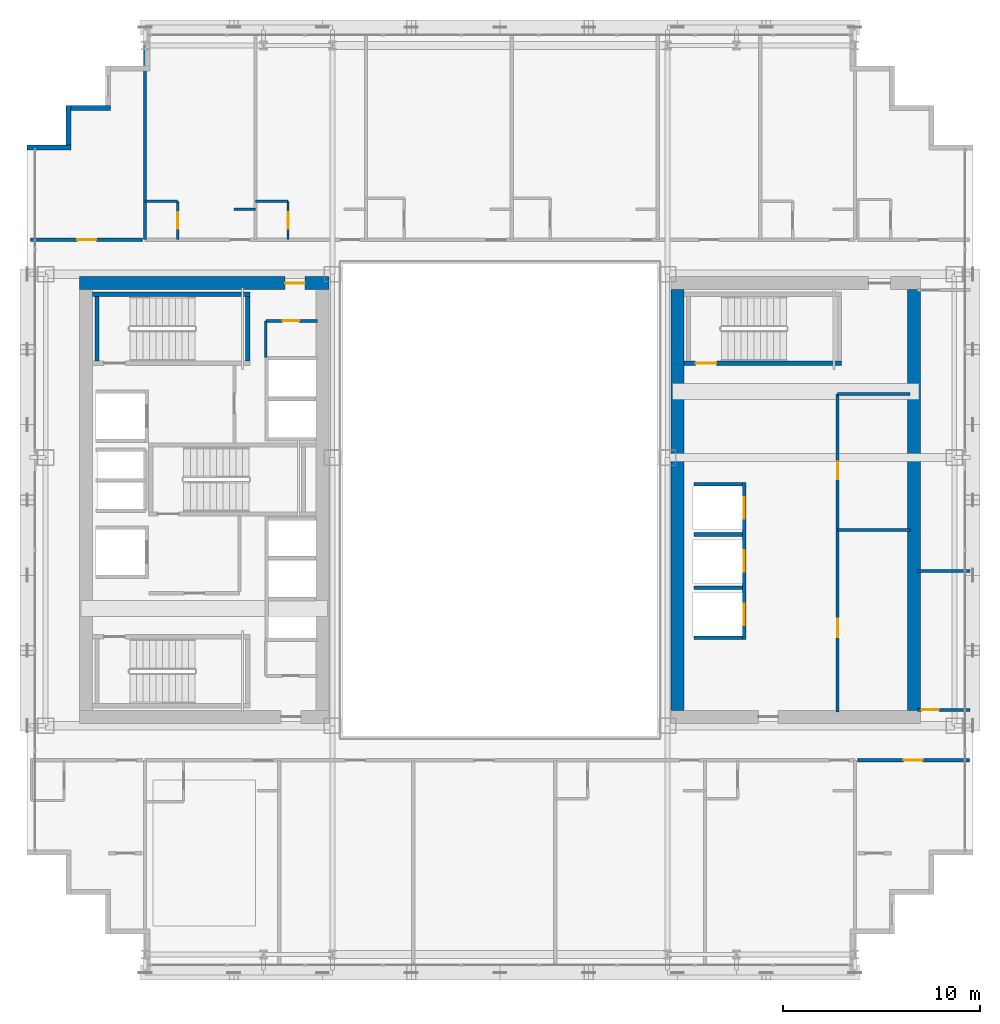
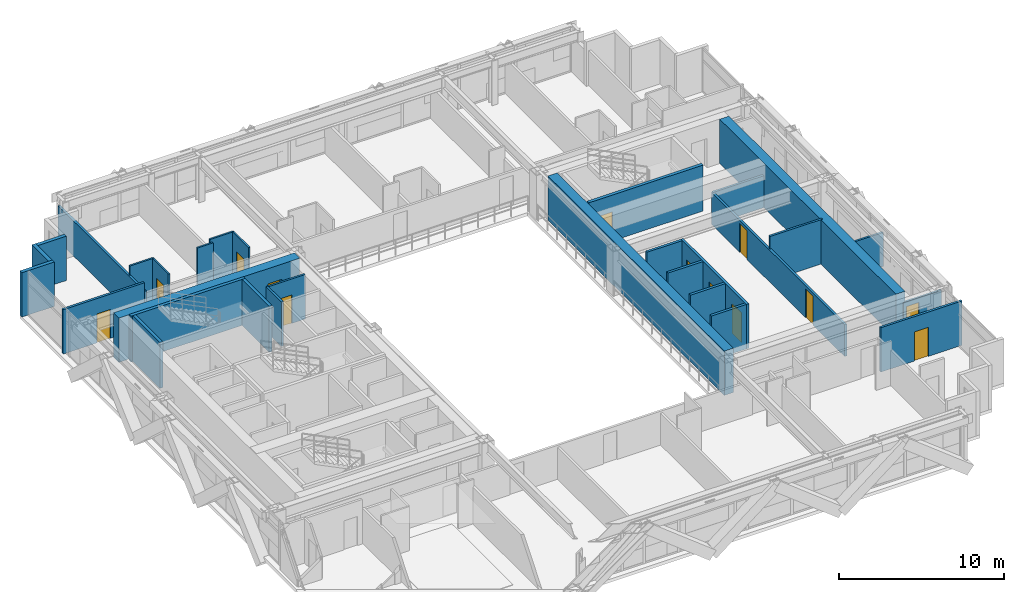
# One storey, part 30 of 36: 30 walls, 13 doors, 13 openings.
"""IFC4 building model written with IfcOpenShell, lengths in metres."""

from ifc_helpers import new_model, si_unit, direction, frame, frame_2d, origin, place, context, subcontext, project, spatial, rectangle, extrude, source, transform, mapped, material, layer, layer_set, type_object, element, fill, save


model = new_model("IFC4")

# Units and contexts
model_context = context("Model", 3, precision=1e-05, world=origin(), true_north=direction((0.0, 1.0)))
body_context = subcontext(model_context, "Body", "Model", "MODEL_VIEW")
ifc_project = project(units=[si_unit("LENGTHUNIT", "METRE"), si_unit("AREAUNIT", "SQUARE_METRE"), si_unit("VOLUMEUNIT", "CUBIC_METRE"), si_unit("PLANEANGLEUNIT", "RADIAN"), si_unit("MASSUNIT", "GRAM", prefix="KILO")], contexts=[model_context])

# Site, building, storey
site_placement = place(None, origin())
site = spatial("IfcSite", under=ifc_project, at=site_placement, CompositionType="ELEMENT")
building_placement = place(site_placement, origin())
building = spatial("IfcBuilding", under=site, at=building_placement, Name="Ocotamira Hotel", CompositionType="ELEMENT")
storey_placement = place(building_placement, frame((0.0, 0.0, 147.60009765625)))
storey = spatial("IfcBuildingStorey", under=building, at=storey_placement, Name="L37", CompositionType="ELEMENT", Elevation=147.60009765625)

# Wall, opening, door
ifc_material_1 = material(Name="Concrete C60/75", Category="concrete")
ifc_layer_1 = layer(ifc_material_1, 0.64990234375)
ifc_layer_set_1 = layer_set([ifc_layer_1], Name="Concrete C60/75")
wall_type_1 = type_object("IfcWallType", Name="WL-CORE-650", PredefinedType="SHEAR", material=ifc_layer_set_1)
wall_1_placement = place(storey_placement, frame((10.675048828125, 37.0, 0.0), z_axis=(0.0, 0.0, 1.0), x_axis=(1.0, 0.0, 0.0)))
wall_1 = element("IfcWall", 1, at=wall_1_placement, inside=storey, type_object=wall_type_1, Name="L37 Shear Core Wall WCORE-N", PredefinedType="SHEAR", context=body_context, shape_type="SweptSolid", body=[
    extrude(rectangle(XDim=12.64990234375, YDim=0.64990234375, at=frame_2d((6.324951171875, 0.0))), origin(), (0.0, 0.0, 1.0), 3.27978515625),
])
opening_1_placement = place(wall_1_placement, frame((10.425048828125, 0.0, 0.0)))
opening_1 = element("IfcOpeningElement", 2, at=opening_1_placement, cuts=wall_1, Name="Opening D-FR2", PredefinedType="OPENING", context=body_context, shape_type="SweptSolid", body=[
    extrude(rectangle(XDim=1.0, YDim=2.14990234375, at=frame_2d((0.5, 1.074951171875))), frame((0.0, 0.3349609375, 0.0), z_axis=(0.0, -1.0, 0.0), x_axis=(1.0, 0.0, 0.0)), (0.0, 0.0, 1.0), 0.669921875),
])
ifc_material_2 = material(Name="Fire-rated acoustic timber-veneer door", Category="wood")
door_type_1 = type_object("IfcDoorType", Name="DR-FIRE-1000", OperationType="NOTDEFINED", PredefinedType="DOOR", material=ifc_material_2)
shared_shape_1 = source(origin(), body_context, "Body", "SweptSolid", [
    extrude(rectangle(XDim=1.0, YDim=2.14990234375, at=frame_2d((0.5, 1.074951171875))), frame((0.0, 0.02490234375, 0.0), z_axis=(0.0, -1.0, 0.0), x_axis=(1.0, 0.0, 0.0)), (0.0, 0.0, 1.0), 0.050048828125),
])
door_1_placement = place(opening_1_placement, origin())
door_1 = element("IfcDoor", 3, at=door_1_placement, inside=storey, type_object=door_type_1, Name="L37 Door ID-L37-WLOB-N-D [ID-L37-WLOB-N-D]", OperationType="SINGLE_SWING_RIGHT", OverallHeight=2.14990234375, OverallWidth=1.0, PredefinedType="DOOR", context=body_context, shape_type="MappedRepresentation", body=[
    mapped(shared_shape_1, transform((0.0, 0.0, 0.0), scale=1.0)),
])
fill(opening_1, door_1)

# Walls
for number, where, z_axis, x_axis, name in (
    (4, (41.0, 15.324951171875, 0.0), (0.0, 0.0, 1.0), (0.0, 1.0, 0.0), "L37 Shear Core Wall ECORE-W"),
    (5, (53.0, 15.324951171875, 0.0), (0.0, 0.0, 1.0), (0.0, 1.0, 0.0), "L37 Shear Core Wall ECORE-E"),
):
    element("IfcWall", number, at=place(storey_placement, frame(where, z_axis=z_axis, x_axis=x_axis)), inside=storey, type_object=wall_type_1, Name=name, PredefinedType="SHEAR", context=body_context, shape_type="SweptSolid", body=[
        extrude(rectangle(XDim=21.35009765625, YDim=0.64990234375, at=frame_2d((10.675048828125, 0.0))), origin(), (0.0, 0.0, 1.0), 3.27978515625),
    ])
ifc_material_3 = material(Name="Precast concrete C45/55", Category="concrete")
ifc_layer_2 = layer(ifc_material_3, 0.25)
ifc_layer_set_2 = layer_set([ifc_layer_2], Name="Precast concrete C45/55")
wall_type_2 = type_object("IfcWallType", Name="WL-EXT-SER-250", PredefinedType="SOLIDWALL", material=ifc_layer_set_2)
for number, where, z_axis, x_axis, name in (
    (6, (12.25, 45.875, 0.0), (0.0, 0.0, 1.0), (-1.0, 0.0, 0.0), "L37 Serrated Corner Wall 16"),
    (7, (10.125, 46.0, 0.0), (0.0, 0.0, 1.0), (0.0, -1.0, 0.0), "L37 Serrated Corner Wall 17"),
):
    element("IfcWall", number, at=place(storey_placement, frame(where, z_axis=z_axis, x_axis=x_axis)), inside=storey, type_object=wall_type_2, Name=name, PredefinedType="SOLIDWALL", context=body_context, shape_type="SweptSolid", body=[
        extrude(rectangle(XDim=2.0, YDim=0.25, at=frame_2d((1.0, 0.0))), origin(), (0.0, 0.0, 1.0), 3.27978515625),
    ])
wall_2_placement = place(storey_placement, frame((10.25, 43.875, 0.0), z_axis=(0.0, 0.0, 1.0), x_axis=(-1.0, 0.0, 0.0)))
element("IfcWall", 8, at=wall_2_placement, inside=storey, type_object=wall_type_2, Name="L37 Serrated Corner Wall 18", PredefinedType="SOLIDWALL", context=body_context, shape_type="SweptSolid", body=[
    extrude(rectangle(XDim=2.25, YDim=0.25, at=frame_2d((1.125, 0.0))), origin(), (0.0, 0.0, 1.0), 3.27978515625),
])
ifc_material_4 = material(Name="Acoustic double-layer fire gypsum board partition", Category="gypsum")
ifc_layer_3 = layer(ifc_material_4, 0.159912109375)
ifc_layer_set_3 = layer_set([ifc_layer_3], Name="Acoustic double-layer fire gypsum board partition")
wall_type_3 = type_object("IfcWallType", Name="WL-FIRE-160", PredefinedType="PARTITIONING", material=ifc_layer_set_3)
wall_3_placement = place(storey_placement, frame((49.1201171875, 31.3798828125, 0.0), z_axis=(0.0, 0.0, 1.0), x_axis=(1.0, 0.0, 0.0)))
element("IfcWall", 9, at=wall_3_placement, inside=storey, type_object=wall_type_3, Name="L37 Interior Wall PW-L37-EC-FLOW-N", PredefinedType="PARTITIONING", context=body_context, shape_type="SweptSolid", body=[
    extrude(rectangle(XDim=3.679931640625, YDim=0.159912109375, at=frame_2d((1.83984375, 0.0))), origin(), (0.0, 0.0, 1.0), 2.35986328125),
])

# Wall, openings, doors
wall_4_placement = place(storey_placement, frame((49.1201171875, 15.25, 0.0), z_axis=(0.0, 0.0, 1.0), x_axis=(0.0, 1.0, 0.0)))
wall_4 = element("IfcWall", 10, at=wall_4_placement, inside=storey, type_object=wall_type_3, Name="L37 Interior Wall PW-L37-EC-FLOW-W", PredefinedType="PARTITIONING", context=body_context, shape_type="SweptSolid", body=[
    extrude(rectangle(XDim=16.1298828125, YDim=0.159912109375, at=frame_2d((8.06494140625, 0.0))), origin(), (0.0, 0.0, 1.0), 2.35986328125),
])
opening_2_placement = place(wall_4_placement, frame((3.800048828125, 0.0, 0.0)))
opening_2 = element("IfcOpeningElement", 11, at=opening_2_placement, cuts=wall_4, Name="Opening D-SV3", PredefinedType="OPENING", context=body_context, shape_type="SweptSolid", body=[
    extrude(rectangle(XDim=0.919921875, YDim=2.14990234375, at=frame_2d((0.4599609375, 1.074951171875))), frame((0.0, 0.08984375, 0.0), z_axis=(0.0, -1.0, 0.0), x_axis=(1.0, 0.0, 0.0)), (0.0, 0.0, 1.0), 0.179931640625),
])
opening_3_placement = place(wall_4_placement, frame((11.800048828125, 0.0, 0.0)))
opening_3 = element("IfcOpeningElement", 12, at=opening_3_placement, cuts=wall_4, Name="Opening D-IN3", PredefinedType="OPENING", context=body_context, shape_type="SweptSolid", body=[
    extrude(rectangle(XDim=0.89990234375, YDim=2.14990234375, at=frame_2d((0.449951171875, 1.074951171875))), frame((0.0, 0.08984375, 0.0), z_axis=(0.0, -1.0, 0.0), x_axis=(1.0, 0.0, 0.0)), (0.0, 0.0, 1.0), 0.179931640625),
])
ifc_material_5 = material(Name="Painted service room door", Category="steel")
door_type_2 = type_object("IfcDoorType", Name="DR-INT-900", OperationType="NOTDEFINED", PredefinedType="DOOR", material=ifc_material_5)
shared_shape_2 = source(origin(), body_context, "Body", "SweptSolid", [
    extrude(rectangle(XDim=0.89990234375, YDim=2.14990234375, at=frame_2d((0.449951171875, 1.074951171875))), frame((0.0, 0.02490234375, 0.0), z_axis=(0.0, -1.0, 0.0), x_axis=(1.0, 0.0, 0.0)), (0.0, 0.0, 1.0), 0.050048828125),
])
door_2_placement = place(opening_3_placement, origin())
door_2 = element("IfcDoor", 13, at=door_2_placement, inside=storey, type_object=door_type_2, Name="L37 Door ID-L37-EC-FLOW-DB [ID-L37-EC-FLOW-DB]", OperationType="SINGLE_SWING_RIGHT", OverallHeight=2.14990234375, OverallWidth=0.89990234375, PredefinedType="DOOR", context=body_context, shape_type="MappedRepresentation", body=[
    mapped(shared_shape_2, transform((0.0, 0.0, 0.0), scale=1.0)),
])
fill(opening_3, door_2)
ifc_material_6 = material(Name="Fire-rated walnut hospitality door", Category="wood")
door_type_3 = type_object("IfcDoorType", Name="DR-SERV-920", OperationType="NOTDEFINED", PredefinedType="DOOR", material=ifc_material_6)
shared_shape_3 = source(origin(), body_context, "Body", "SweptSolid", [
    extrude(rectangle(XDim=0.919921875, YDim=2.14990234375, at=frame_2d((0.4599609375, 1.074951171875))), frame((0.0, 0.02490234375, 0.0), z_axis=(0.0, -1.0, 0.0), x_axis=(1.0, 0.0, 0.0)), (0.0, 0.0, 1.0), 0.050048828125),
])
door_3_placement = place(opening_2_placement, origin())
door_3 = element("IfcDoor", 14, at=door_3_placement, inside=storey, type_object=door_type_3, Name="L37 Door ID-L37-EC-FLOW-DA [ID-L37-EC-FLOW-DA]", OperationType="SINGLE_SWING_LEFT", OverallHeight=2.14990234375, OverallWidth=0.919921875, PredefinedType="DOOR", context=body_context, shape_type="MappedRepresentation", body=[
    mapped(shared_shape_3, transform((0.0, 0.0, 0.0), scale=1.0)),
])
fill(opening_2, door_3)

# Wall, opening, door
wall_5_placement = place(storey_placement, frame((50.1201171875, 12.800048828125, 0.0), z_axis=(0.0, 0.0, 1.0), x_axis=(1.0, 0.0, 0.0)))
wall_5 = element("IfcWall", 15, at=wall_5_placement, inside=storey, type_object=wall_type_3, Name="L37 Interior Wall PW-L37-Z2E-CSE-CW", PredefinedType="PARTITIONING", context=body_context, shape_type="SweptSolid", body=[
    extrude(rectangle(XDim=5.679931640625, YDim=0.159912109375, at=frame_2d((2.83984375, 0.0))), origin(), (0.0, 0.0, 1.0), 3.27978515625),
])
opening_4_placement = place(wall_5_placement, frame((2.360107421875, 0.0, 0.0)))
opening_4 = element("IfcOpeningElement", 16, at=opening_4_placement, cuts=wall_5, Name="Opening D-SV4", PredefinedType="OPENING", context=body_context, shape_type="SweptSolid", body=[
    extrude(rectangle(XDim=0.9599609375, YDim=2.14990234375, at=frame_2d((0.47998046875, 1.074951171875))), frame((0.0, 0.08984375, 0.0), z_axis=(0.0, -1.0, 0.0), x_axis=(1.0, 0.0, 0.0)), (0.0, 0.0, 1.0), 0.179931640625),
])
ifc_material_7 = material(Name="Fire-rated accessible walnut salon door", Category="wood")
door_type_4 = type_object("IfcDoorType", Name="DR-SERV-960", OperationType="NOTDEFINED", PredefinedType="DOOR", material=ifc_material_7)
shared_shape_4 = source(origin(), body_context, "Body", "SweptSolid", [
    extrude(rectangle(XDim=0.9599609375, YDim=2.14990234375, at=frame_2d((0.47998046875, 1.074951171875))), frame((0.0, 0.02490234375, 0.0), z_axis=(0.0, -1.0, 0.0), x_axis=(1.0, 0.0, 0.0)), (0.0, 0.0, 1.0), 0.050048828125),
])
door_4_placement = place(opening_4_placement, origin())
door_4 = element("IfcDoor", 17, at=door_4_placement, inside=storey, type_object=door_type_4, Name="L37 Door ID-L37-Z2E-CSE-CD [ID-L37-Z2E-CSE-CD]", OperationType="SINGLE_SWING_LEFT", OverallHeight=2.14990234375, OverallWidth=0.9599609375, PredefinedType="DOOR", context=body_context, shape_type="MappedRepresentation", body=[
    mapped(shared_shape_4, transform((0.0, 0.0, 0.0), scale=1.0)),
])
fill(opening_4, door_4)

wall_6_placement = place(storey_placement, frame((8.199951171875, 39.199951171875, 0.0), z_axis=(0.0, 0.0, 1.0), x_axis=(1.0, 0.0, 0.0)))
wall_6 = element("IfcWall", 18, at=wall_6_placement, inside=storey, type_object=wall_type_3, Name="L37 Interior Wall PW-L37-Z2E-CNW-CW", PredefinedType="PARTITIONING", context=body_context, shape_type="SweptSolid", body=[
    extrude(rectangle(XDim=5.679931640625, YDim=0.159912109375, at=frame_2d((2.83984375, 0.0))), origin(), (0.0, 0.0, 1.0), 3.27978515625),
])
opening_5_placement = place(wall_6_placement, frame((2.360107421875, 0.0, 0.0)))
opening_5 = element("IfcOpeningElement", 19, at=opening_5_placement, cuts=wall_6, Name="Opening D-SV4", PredefinedType="OPENING", context=body_context, shape_type="SweptSolid", body=[
    extrude(rectangle(XDim=0.9599609375, YDim=2.14990234375, at=frame_2d((0.47998046875, 1.074951171875))), frame((0.0, 0.08984375, 0.0), z_axis=(0.0, -1.0, 0.0), x_axis=(1.0, 0.0, 0.0)), (0.0, 0.0, 1.0), 0.179931640625),
])
door_5_placement = place(opening_5_placement, origin())
door_5 = element("IfcDoor", 20, at=door_5_placement, inside=storey, type_object=door_type_4, Name="L37 Door ID-L37-Z2E-CNW-CD [ID-L37-Z2E-CNW-CD]", OperationType="SINGLE_SWING_LEFT", OverallHeight=2.14990234375, OverallWidth=0.9599609375, PredefinedType="DOOR", context=body_context, shape_type="MappedRepresentation", body=[
    mapped(shared_shape_4, transform((0.0, 0.0, 0.0), scale=1.0)),
])
fill(opening_5, door_5)

ifc_material_8 = material(Name="Moisture-resistant en-suite tile and gypsum partition", Category="gypsum")
ifc_layer_4 = layer(ifc_material_8, 0.1201171875)
ifc_layer_set_4 = layer_set([ifc_layer_4], Name="Moisture-resistant en-suite tile and gypsum partition")
wall_type_4 = type_object("IfcWallType", Name="WL-PART-120", PredefinedType="PARTITIONING", material=ifc_layer_set_4)
wall_7_placement = place(storey_placement, frame((15.64990234375, 39.199951171875, 0.0), z_axis=(0.0, 0.0, 1.0), x_axis=(0.0, 1.0, 0.0)))
wall_7 = element("IfcWall", 21, at=wall_7_placement, inside=storey, type_object=wall_type_4, Name="L37 Interior Wall PW-L37-Z2EN-BAE1", PredefinedType="PARTITIONING", context=body_context, shape_type="SweptSolid", body=[
    extrude(rectangle(XDim=1.949951171875, YDim=0.1201171875, at=frame_2d((0.97509765625, 0.0))), origin(), (0.0, 0.0, 1.0), 3.27978515625),
])
opening_6_placement = place(wall_7_placement, frame((0.544921875, 0.0, 0.0)))
opening_6 = element("IfcOpeningElement", 22, at=opening_6_placement, cuts=wall_7, Name="Opening D-BA1", PredefinedType="OPENING", context=body_context, shape_type="SweptSolid", body=[
    extrude(rectangle(XDim=0.860107421875, YDim=2.10009765625, at=frame_2d((0.43017578125, 1.050048828125))), frame((0.0, 0.070068359375, 0.0), z_axis=(0.0, -1.0, 0.0), x_axis=(1.0, 0.0, 0.0)), (0.0, 0.0, 1.0), 0.14013671875),
])
ifc_material_9 = material(Name="Moisture-sealed en-suite timber door", Category="wood")
door_type_5 = type_object("IfcDoorType", Name="DR-BATH-860", OperationType="NOTDEFINED", PredefinedType="DOOR", material=ifc_material_9)
shared_shape_5 = source(origin(), body_context, "Body", "SweptSolid", [
    extrude(rectangle(XDim=0.860107421875, YDim=2.10009765625, at=frame_2d((0.43017578125, 1.050048828125))), frame((0.0, 0.02490234375, 0.0), z_axis=(0.0, -1.0, 0.0), x_axis=(1.0, 0.0, 0.0)), (0.0, 0.0, 1.0), 0.050048828125),
])
door_6_placement = place(opening_6_placement, origin())
door_6 = element("IfcDoor", 23, at=door_6_placement, inside=storey, type_object=door_type_5, Name="L37 Door ID-L37-Z2EN-BAD1 [ID-L37-Z2EN-BAD1]", OperationType="SINGLE_SWING_RIGHT", OverallHeight=2.10009765625, OverallWidth=0.860107421875, PredefinedType="DOOR", context=body_context, shape_type="MappedRepresentation", body=[
    mapped(shared_shape_5, transform((0.0, 0.0, 0.0), scale=1.0)),
])
fill(opening_6, door_6)

# Walls
wall_8_placement = place(storey_placement, frame((14.0, 41.14990234375, 0.0), z_axis=(0.0, 0.0, 1.0), x_axis=(1.0, 0.0, 0.0)))
element("IfcWall", 24, at=wall_8_placement, inside=storey, type_object=wall_type_4, Name="L37 Interior Wall PW-L37-Z2EN-BAN1", PredefinedType="PARTITIONING", context=body_context, shape_type="SweptSolid", body=[
    extrude(rectangle(XDim=1.64990234375, YDim=0.1201171875, at=frame_2d((0.824951171875, 0.0))), origin(), (0.0, 0.0, 1.0), 3.27978515625),
])
wall_9_placement = place(storey_placement, frame((18.5, 40.75, 0.0), z_axis=(0.0, 0.0, 1.0), x_axis=(1.0, 0.0, 0.0)))
element("IfcWall", 25, at=wall_9_placement, inside=storey, type_object=wall_type_4, Name="L37 Interior Wall PW-L37-Z2EN-DRN1", PredefinedType="PARTITIONING", context=body_context, shape_type="SweptSolid", body=[
    extrude(rectangle(XDim=1.10009765625, YDim=0.1201171875, at=frame_2d((0.550048828125, 0.0))), origin(), (0.0, 0.0, 1.0), 3.27978515625),
])

# Wall, opening, door
wall_10_placement = place(storey_placement, frame((21.25, 39.199951171875, 0.0), z_axis=(0.0, 0.0, 1.0), x_axis=(0.0, 1.0, 0.0)))
wall_10 = element("IfcWall", 26, at=wall_10_placement, inside=storey, type_object=wall_type_4, Name="L37 Interior Wall PW-L37-Z2EN-BAE2", PredefinedType="PARTITIONING", context=body_context, shape_type="SweptSolid", body=[
    extrude(rectangle(XDim=1.949951171875, YDim=0.1201171875, at=frame_2d((0.97509765625, 0.0))), origin(), (0.0, 0.0, 1.0), 3.27978515625),
])
opening_7_placement = place(wall_10_placement, frame((0.544921875, 0.0, 0.0)))
opening_7 = element("IfcOpeningElement", 27, at=opening_7_placement, cuts=wall_10, Name="Opening D-BA1", PredefinedType="OPENING", context=body_context, shape_type="SweptSolid", body=[
    extrude(rectangle(XDim=0.860107421875, YDim=2.10009765625, at=frame_2d((0.43017578125, 1.050048828125))), frame((0.0, 0.070068359375, 0.0), z_axis=(0.0, -1.0, 0.0), x_axis=(1.0, 0.0, 0.0)), (0.0, 0.0, 1.0), 0.14013671875),
])
door_7_placement = place(opening_7_placement, origin())
door_7 = element("IfcDoor", 28, at=door_7_placement, inside=storey, type_object=door_type_5, Name="L37 Door ID-L37-Z2EN-BAD2 [ID-L37-Z2EN-BAD2]", OperationType="SINGLE_SWING_LEFT", OverallHeight=2.10009765625, OverallWidth=0.860107421875, PredefinedType="DOOR", context=body_context, shape_type="MappedRepresentation", body=[
    mapped(shared_shape_5, transform((0.0, 0.0, 0.0), scale=1.0)),
])
fill(opening_7, door_7)

# Walls
wall_11_placement = place(storey_placement, frame((19.60009765625, 41.14990234375, 0.0), z_axis=(0.0, 0.0, 1.0), x_axis=(1.0, 0.0, 0.0)))
element("IfcWall", 29, at=wall_11_placement, inside=storey, type_object=wall_type_4, Name="L37 Interior Wall PW-L37-Z2EN-BAN2", PredefinedType="PARTITIONING", context=body_context, shape_type="SweptSolid", body=[
    extrude(rectangle(XDim=1.64990234375, YDim=0.1201171875, at=frame_2d((0.824951171875, 0.0))), origin(), (0.0, 0.0, 1.0), 3.27978515625),
])
ifc_material_10 = material(Name="Acoustic hospitality gypsum board partition", Category="gypsum")
ifc_layer_5 = layer(ifc_material_10, 0.14208984375)
ifc_layer_set_5 = layer_set([ifc_layer_5], Name="Acoustic hospitality gypsum board partition")
wall_type_5 = type_object("IfcWallType", Name="WL-PART-142", PredefinedType="PARTITIONING", material=ifc_layer_set_5)
wall_12_placement = place(storey_placement, frame((20.1201171875, 33.219970703125, 0.0), z_axis=(0.0, 0.0, 1.0), x_axis=(0.0, 1.0, 0.0)))
element("IfcWall", 30, at=wall_12_placement, inside=storey, type_object=wall_type_5, Name="L37 Interior Wall PW-L37-WC-NE-W2", PredefinedType="PARTITIONING", context=body_context, shape_type="SweptSolid", body=[
    extrude(rectangle(XDim=1.860107421875, YDim=0.14208984375, at=frame_2d((0.93017578125, 0.0))), origin(), (0.0, 0.0, 1.0), 3.27978515625),
])

# Wall, opening, door
wall_13_placement = place(storey_placement, frame((20.1201171875, 35.080078125, 0.0), z_axis=(0.0, 0.0, 1.0), x_axis=(1.0, 0.0, 0.0)))
wall_13 = element("IfcWall", 31, at=wall_13_placement, inside=storey, type_object=wall_type_5, Name="L37 Interior Wall PW-L37-WC-NE-N2", PredefinedType="PARTITIONING", context=body_context, shape_type="SweptSolid", body=[
    extrude(rectangle(XDim=2.6298828125, YDim=0.14208984375, at=frame_2d((1.31494140625, 0.0))), origin(), (0.0, 0.0, 1.0), 3.27978515625),
])
opening_8_placement = place(wall_13_placement, frame((0.85009765625, 0.0, 0.0)))
opening_8 = element("IfcOpeningElement", 32, at=opening_8_placement, cuts=wall_13, Name="Opening D-SV1", PredefinedType="OPENING", context=body_context, shape_type="SweptSolid", body=[
    extrude(rectangle(XDim=0.840087890625, YDim=2.10009765625, at=frame_2d((0.419921875, 1.050048828125))), frame((0.0, 0.0810546875, 0.0), z_axis=(0.0, -1.0, 0.0), x_axis=(1.0, 0.0, 0.0)), (0.0, 0.0, 1.0), 0.162109375),
])
ifc_material_11 = material(Name="Fire-rated painted steel service door", Category="steel")
door_type_6 = type_object("IfcDoorType", Name="DR-SERV-840", OperationType="NOTDEFINED", PredefinedType="DOOR", material=ifc_material_11)
shared_shape_6 = source(origin(), body_context, "Body", "SweptSolid", [
    extrude(rectangle(XDim=0.840087890625, YDim=2.10009765625, at=frame_2d((0.419921875, 1.050048828125))), frame((0.0, 0.02490234375, 0.0), z_axis=(0.0, -1.0, 0.0), x_axis=(1.0, 0.0, 0.0)), (0.0, 0.0, 1.0), 0.050048828125),
])
door_8_placement = place(opening_8_placement, origin())
door_8 = element("IfcDoor", 33, at=door_8_placement, inside=storey, type_object=door_type_6, Name="L37 Door ID-L37-WC-NE-D2 [ID-L37-WC-NE-D2]", OperationType="SINGLE_SWING_RIGHT", OverallHeight=2.10009765625, OverallWidth=0.840087890625, PredefinedType="DOOR", context=body_context, shape_type="MappedRepresentation", body=[
    mapped(shared_shape_6, transform((0.0, 0.0, 0.0), scale=1.0)),
])
fill(opening_8, door_8)

# Walls
wall_14_placement = place(storey_placement, frame((53.179931640625, 22.39990234375, 0.0), z_axis=(0.0, 0.0, 1.0), x_axis=(1.0, 0.0, 0.0)))
element("IfcWall", 34, at=wall_14_placement, inside=storey, type_object=wall_type_5, Name="L37 Interior Wall PW-L37-Z2E-EF-DV1", PredefinedType="PARTITIONING", context=body_context, shape_type="SweptSolid", body=[
    extrude(rectangle(XDim=2.66015625, YDim=0.14208984375, at=frame_2d((1.330078125, 0.0))), origin(), (0.0, 0.0, 1.0), 2.5009765625),
])
ifc_layer_6 = layer(ifc_material_10, 0.14990234375)
ifc_layer_set_6 = layer_set([ifc_layer_6], Name="Acoustic hospitality gypsum board partition")
wall_type_6 = type_object("IfcWallType", Name="WL-PART-150", PredefinedType="PARTITIONING", material=ifc_layer_set_6)
wall_15_placement = place(storey_placement, frame((49.1201171875, 24.489990234375, 0.0), z_axis=(0.0, 0.0, 1.0), x_axis=(1.0, 0.0, 0.0)))
element("IfcWall", 35, at=wall_15_placement, inside=storey, type_object=wall_type_6, Name="L37 Interior Wall PW-L37-EC-FDIVA", PredefinedType="PARTITIONING", context=body_context, shape_type="SweptSolid", body=[
    extrude(rectangle(XDim=3.679931640625, YDim=0.14990234375, at=frame_2d((1.83984375, 0.0))), origin(), (0.0, 0.0, 1.0), 3.27978515625),
])

# Wall, opening, door
wall_16_placement = place(storey_placement, frame((53.179931640625, 15.360107421875, 0.0), z_axis=(0.0, 0.0, 1.0), x_axis=(1.0, 0.0, 0.0)))
wall_16 = element("IfcWall", 36, at=wall_16_placement, inside=storey, type_object=wall_type_6, Name="L37 Interior Wall PW-L37-Z2E-EF-WS", PredefinedType="PARTITIONING", context=body_context, shape_type="SweptSolid", body=[
    extrude(rectangle(XDim=2.66015625, YDim=0.14990234375, at=frame_2d((1.330078125, 0.0))), origin(), (0.0, 0.0, 1.0), 2.5009765625),
])
opening_9_placement = place(wall_16_placement, frame((0.199951171875, 0.0, 0.0)))
opening_9 = element("IfcOpeningElement", 37, at=opening_9_placement, cuts=wall_16, Name="Opening D-SV2", PredefinedType="OPENING", context=body_context, shape_type="SweptSolid", body=[
    extrude(rectangle(XDim=0.8798828125, YDim=2.14990234375, at=frame_2d((0.43994140625, 1.074951171875))), frame((0.0, 0.0849609375, 0.0), z_axis=(0.0, -1.0, 0.0), x_axis=(1.0, 0.0, 0.0)), (0.0, 0.0, 1.0), 0.169921875),
])
door_type_7 = type_object("IfcDoorType", Name="DR-SERV-880", OperationType="NOTDEFINED", PredefinedType="DOOR", material=ifc_material_11)
shared_shape_7 = source(origin(), body_context, "Body", "SweptSolid", [
    extrude(rectangle(XDim=0.8798828125, YDim=2.14990234375, at=frame_2d((0.43994140625, 1.074951171875))), frame((0.0, 0.02490234375, 0.0), z_axis=(0.0, -1.0, 0.0), x_axis=(1.0, 0.0, 0.0)), (0.0, 0.0, 1.0), 0.050048828125),
])
door_9_placement = place(opening_9_placement, origin())
door_9 = element("IfcDoor", 38, at=door_9_placement, inside=storey, type_object=door_type_7, Name="L37 Door ID-L37-Z2E-EF-DS [ID-L37-Z2E-EF-DS]", OperationType="SINGLE_SWING_RIGHT", OverallHeight=2.14990234375, OverallWidth=0.8798828125, PredefinedType="DOOR", context=body_context, shape_type="MappedRepresentation", body=[
    mapped(shared_shape_7, transform((0.0, 0.0, 0.0), scale=1.0)),
])
fill(opening_9, door_9)

# Wall
ifc_material_12 = material(Name="Acoustic double-stud hospitality gypsum partition", Category="gypsum")
ifc_layer_7 = layer(ifc_material_12, 0.159912109375)
ifc_layer_set_7 = layer_set([ifc_layer_7], Name="Acoustic double-stud hospitality gypsum partition")
wall_type_7 = type_object("IfcWallType", Name="WL-PART-160", PredefinedType="PARTITIONING", material=ifc_layer_set_7)
wall_17_placement = place(storey_placement, frame((14.0, 39.199951171875, 0.0), z_axis=(0.0, 0.0, 1.0), x_axis=(0.0, 1.0, 0.0)))
element("IfcWall", 39, at=wall_17_placement, inside=storey, type_object=wall_type_7, Name="L37 Interior Wall PW-L37-Z2EN-PW0", PredefinedType="PARTITIONING", context=body_context, shape_type="SweptSolid", body=[
    extrude(rectangle(XDim=10.43994140625, YDim=0.159912109375, at=frame_2d((5.219970703125, 0.0))), origin(), (0.0, 0.0, 1.0), 2.5869140625),
])

# Wall, openings, doors
ifc_material_13 = material(Name="Fire-rated gypsum shaftliner board assembly", Category="gypsum")
ifc_layer_8 = layer(ifc_material_13, 0.179931640625)
ifc_layer_set_8 = layer_set([ifc_layer_8], Name="Fire-rated gypsum shaftliner board assembly")
wall_type_8 = type_object("IfcWallType", Name="WL-SHAFT-180", PredefinedType="SOLIDWALL", material=ifc_layer_set_8)
wall_18_placement = place(storey_placement, frame((44.389892578125, 18.919921875, 0.0), z_axis=(0.0, 0.0, 1.0), x_axis=(0.0, 1.0, 0.0)))
wall_18 = element("IfcWall", 40, at=wall_18_placement, inside=storey, type_object=wall_type_8, Name="L37 Interior Wall PW-L37-LFW-BANK-mid-F", PredefinedType="SOLIDWALL", context=body_context, shape_type="SweptSolid", body=[
    extrude(rectangle(XDim=7.9599609375, YDim=0.179931640625, at=frame_2d((3.97998046875, 0.0))), origin(), (0.0, 0.0, 1.0), 3.27978515625),
])
opening_10_placement = place(wall_18_placement, frame((0.72998046875, 0.0, 0.0)))
opening_10 = element("IfcOpeningElement", 41, at=opening_10_placement, cuts=wall_18, Name="Opening LD-LF-P4", PredefinedType="OPENING", context=body_context, shape_type="SweptSolid", body=[
    extrude(rectangle(XDim=1.10009765625, YDim=2.199951171875, at=frame_2d((0.550048828125, 1.10009765625))), frame((0.0, 0.10009765625, 0.0), z_axis=(0.0, -1.0, 0.0), x_axis=(1.0, 0.0, 0.0)), (0.0, 0.0, 1.0), 0.199951171875),
])
opening_11_placement = place(wall_18_placement, frame((3.429931640625, 0.0, 0.0)))
opening_11 = element("IfcOpeningElement", 42, at=opening_11_placement, cuts=wall_18, Name="Opening LD-LF-P5", PredefinedType="OPENING", context=body_context, shape_type="SweptSolid", body=[
    extrude(rectangle(XDim=1.10009765625, YDim=2.199951171875, at=frame_2d((0.550048828125, 1.10009765625))), frame((0.0, 0.10009765625, 0.0), z_axis=(0.0, -1.0, 0.0), x_axis=(1.0, 0.0, 0.0)), (0.0, 0.0, 1.0), 0.199951171875),
])
opening_12_placement = place(wall_18_placement, frame((6.1298828125, 0.0, 0.0)))
opening_12 = element("IfcOpeningElement", 43, at=opening_12_placement, cuts=wall_18, Name="Opening LD-LF-P6", PredefinedType="OPENING", context=body_context, shape_type="SweptSolid", body=[
    extrude(rectangle(XDim=1.10009765625, YDim=2.199951171875, at=frame_2d((0.550048828125, 1.10009765625))), frame((0.0, 0.10009765625, 0.0), z_axis=(0.0, -1.0, 0.0), x_axis=(1.0, 0.0, 0.0)), (0.0, 0.0, 1.0), 0.199951171875),
])
ifc_material_14 = material(Name="Brushed pale-metal stainless elevator landing door", Category="steel")
door_type_8 = type_object("IfcDoorType", Name="DR-LIFT-1100", OperationType="NOTDEFINED", PredefinedType="DOOR", material=ifc_material_14)
shared_shape_8 = source(origin(), body_context, "Body", "SweptSolid", [
    extrude(rectangle(XDim=1.10009765625, YDim=2.199951171875, at=frame_2d((0.550048828125, 1.10009765625))), frame((0.0, 0.02490234375, 0.0), z_axis=(0.0, -1.0, 0.0), x_axis=(1.0, 0.0, 0.0)), (0.0, 0.0, 1.0), 0.050048828125),
])
door_10_placement = place(opening_10_placement, origin())
door_10 = element("IfcDoor", 44, at=door_10_placement, inside=storey, type_object=door_type_8, Name="L37 Landing Door LD-LF-P4 [ID-L37-LD-LF-P4]", OperationType="DOUBLE_DOOR_SLIDING", OverallHeight=2.199951171875, OverallWidth=1.10009765625, PredefinedType="DOOR", context=body_context, shape_type="MappedRepresentation", body=[
    mapped(shared_shape_8, transform((0.0, 0.0, 0.0), scale=1.0)),
])
fill(opening_10, door_10)
door_11_placement = place(opening_11_placement, origin())
door_11 = element("IfcDoor", 45, at=door_11_placement, inside=storey, type_object=door_type_8, Name="L37 Landing Door LD-LF-P5 [ID-L37-LD-LF-P5]", OperationType="DOUBLE_DOOR_SLIDING", OverallHeight=2.199951171875, OverallWidth=1.10009765625, PredefinedType="DOOR", context=body_context, shape_type="MappedRepresentation", body=[
    mapped(shared_shape_8, transform((0.0, 0.0, 0.0), scale=1.0)),
])
fill(opening_11, door_11)
door_12_placement = place(opening_12_placement, origin())
door_12 = element("IfcDoor", 46, at=door_12_placement, inside=storey, type_object=door_type_8, Name="L37 Landing Door LD-LF-P6 [ID-L37-LD-LF-P6]", OperationType="DOUBLE_DOOR_SLIDING", OverallHeight=2.199951171875, OverallWidth=1.10009765625, PredefinedType="DOOR", context=body_context, shape_type="MappedRepresentation", body=[
    mapped(shared_shape_8, transform((0.0, 0.0, 0.0), scale=1.0)),
])
fill(opening_12, door_12)

# Walls
for number, where, z_axis, x_axis, name in (
    (47, (41.85009765625, 19.010009765625, 0.0), (0.0, 0.0, 1.0), (1.0, 0.0, 0.0), "L37 Interior Wall PW-L37-LFW-BANK-mid-S"),
    (48, (41.85009765625, 26.7900390625, 0.0), (0.0, 0.0, 1.0), (1.0, 0.0, 0.0), "L37 Interior Wall PW-L37-LFW-BANK-mid-N"),
    (49, (41.85009765625, 21.550048828125, 0.0), (0.0, 0.0, 1.0), (1.0, 0.0, 0.0), "L37 Interior Wall PW-L37-LFW-DIV-LF-P4"),
    (50, (41.85009765625, 24.25, 0.0), (0.0, 0.0, 1.0), (1.0, 0.0, 0.0), "L37 Interior Wall PW-L37-LFW-DIV-LF-P5"),
):
    element("IfcWall", number, at=place(storey_placement, frame(where, z_axis=z_axis, x_axis=x_axis)), inside=storey, type_object=wall_type_8, Name=name, PredefinedType="SOLIDWALL", context=body_context, shape_type="SweptSolid", body=[
        extrude(rectangle(XDim=2.449951171875, YDim=0.179931640625, at=frame_2d((1.22509765625, 0.0))), origin(), (0.0, 0.0, 1.0), 3.27978515625),
    ])
ifc_material_15 = material(Name="Concrete C50/60", Category="concrete")
ifc_layer_9 = layer(ifc_material_15, 0.219970703125)
ifc_layer_set_9 = layer_set([ifc_layer_9], Name="Concrete C50/60")
wall_type_9 = type_object("IfcWallType", Name="WL-STAIR-220", PredefinedType="SHEAR", material=ifc_layer_set_9)
wall_19_placement = place(storey_placement, frame((11.324951171875, 36.43994140625, 0.0), z_axis=(0.0, 0.0, 1.0), x_axis=(1.0, 0.0, 0.0)))
element("IfcWall", 51, at=wall_19_placement, inside=storey, type_object=wall_type_9, Name="L37 Stair Shaft Structural Wall ST-2-N", PredefinedType="SHEAR", context=body_context, shape_type="SweptSolid", body=[
    extrude(rectangle(XDim=7.985107421875, YDim=0.219970703125, at=frame_2d((3.99267578125, 0.0))), origin(), (0.0, 0.0, 1.0), 3.39990234375),
])
for number, where, z_axis, x_axis, name in (
    (52, (11.56005859375, 33.050048828125, 0.0), (0.0, 0.0, 1.0), (0.0, 1.0, 0.0), "L37 Stair Shaft Structural Wall ST-2-W"),
    (53, (19.199951171875, 33.050048828125, 0.0), (0.0, 0.0, 1.0), (0.0, 1.0, 0.0), "L37 Stair Shaft Structural Wall ST-2-E"),
):
    element("IfcWall", number, at=place(storey_placement, frame(where, z_axis=z_axis, x_axis=x_axis)), inside=storey, type_object=wall_type_9, Name=name, PredefinedType="SHEAR", context=body_context, shape_type="SweptSolid", body=[
        extrude(rectangle(XDim=3.280029296875, YDim=0.219970703125, at=frame_2d((1.64013671875, 0.0))), origin(), (0.0, 0.0, 1.0), 3.39990234375),
    ])

# Wall, opening, door
wall_20_placement = place(storey_placement, frame((41.324951171875, 32.93994140625, 0.0), z_axis=(0.0, 0.0, 1.0), x_axis=(1.0, 0.0, 0.0)))
wall_20 = element("IfcWall", 54, at=wall_20_placement, inside=storey, type_object=wall_type_9, Name="L37 Stair Shaft Structural Wall ST-4-S", PredefinedType="SHEAR", context=body_context, shape_type="SweptSolid", body=[
    extrude(rectangle(XDim=7.985107421875, YDim=0.219970703125, at=frame_2d((3.99267578125, 0.0))), origin(), (0.0, 0.0, 1.0), 3.39990234375),
])
opening_13_placement = place(wall_20_placement, frame((0.594970703125, 0.0, 0.0)))
opening_13 = element("IfcOpeningElement", 55, at=opening_13_placement, cuts=wall_20, Name="Opening D-ST2", PredefinedType="OPENING", context=body_context, shape_type="SweptSolid", body=[
    extrude(rectangle(XDim=1.050048828125, YDim=2.14990234375, at=frame_2d((0.52490234375, 1.074951171875))), frame((0.0, 0.1201171875, 0.0), z_axis=(0.0, -1.0, 0.0), x_axis=(1.0, 0.0, 0.0)), (0.0, 0.0, 1.0), 0.239990234375),
])
ifc_material_16 = material(Name="Insulated painted hollow-metal fire exit door", Category="steel")
door_type_9 = type_object("IfcDoorType", Name="DR-STAIR-1050", OperationType="NOTDEFINED", PredefinedType="DOOR", material=ifc_material_16)
shared_shape_9 = source(origin(), body_context, "Body", "SweptSolid", [
    extrude(rectangle(XDim=1.050048828125, YDim=2.14990234375, at=frame_2d((0.52490234375, 1.074951171875))), frame((0.0, 0.02490234375, 0.0), z_axis=(0.0, -1.0, 0.0), x_axis=(1.0, 0.0, 0.0)), (0.0, 0.0, 1.0), 0.050048828125),
])
door_13_placement = place(opening_13_placement, origin())
door_13 = element("IfcDoor", 56, at=door_13_placement, inside=storey, type_object=door_type_9, Name="L37 Door ID-L37-STD-ST-4 [ID-L37-STD-ST-4]", OperationType="SINGLE_SWING_LEFT", OverallHeight=2.14990234375, OverallWidth=1.050048828125, PredefinedType="DOOR", context=body_context, shape_type="MappedRepresentation", body=[
    mapped(shared_shape_9, transform((0.0, 0.0, 0.0), scale=1.0)),
])
fill(opening_13, door_13)

save(model, "model.ifc")
